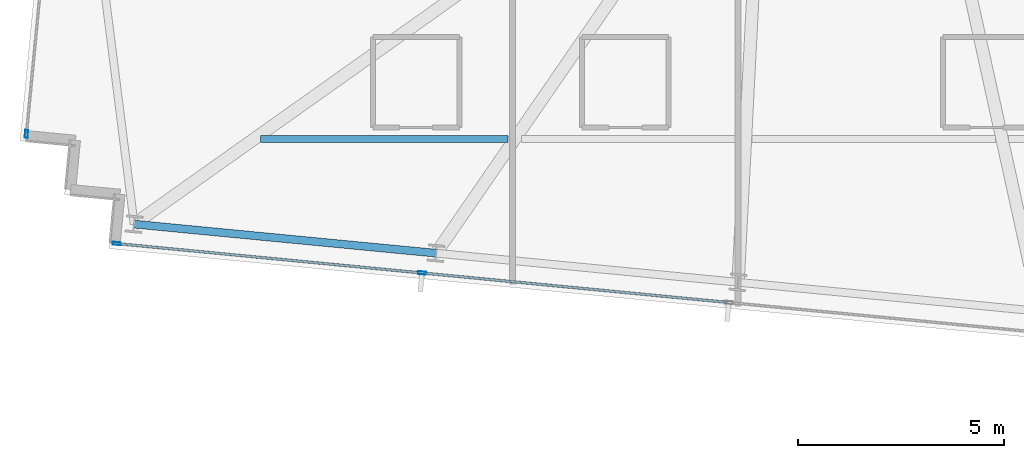
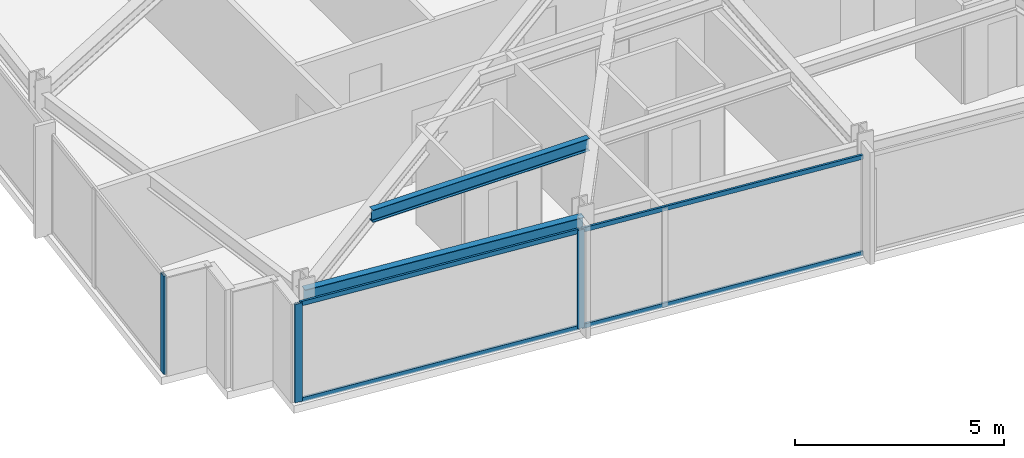
# One storey, part 2 of 37: 7 members, 2 beams, 2 elements without a shape of their own.
"""IFC4 building model written with IfcOpenShell, lengths in metres."""

from ifc_helpers import new_model, si_unit, direction, frame, origin, origin_2d, place, context, subcontext, project, spatial, hollow_rectangle, i_section, extrude, material, material_profile, profile_set, type_object, element, aggregate, save


model = new_model("IFC4")

# Units and contexts
model_context = context("Model", 3, precision=1e-05, world=origin(), true_north=direction((0.0, 1.0)))
body_context = subcontext(model_context, "Body", "Model", "MODEL_VIEW")
ifc_project = project(units=[si_unit("LENGTHUNIT", "METRE"), si_unit("AREAUNIT", "SQUARE_METRE"), si_unit("VOLUMEUNIT", "CUBIC_METRE"), si_unit("PLANEANGLEUNIT", "RADIAN"), si_unit("MASSUNIT", "GRAM", prefix="KILO")], contexts=[model_context])

# Site, building, storey
site_placement = place(None, origin())
site = spatial("IfcSite", under=ifc_project, at=site_placement, CompositionType="ELEMENT")
building_placement = place(site_placement, origin())
building = spatial("IfcBuilding", under=site, at=building_placement, Name="Yelkora Congress Tower", CompositionType="ELEMENT")
storey_placement = place(building_placement, frame((0.0, 0.0, 188.60009765625)))
storey = spatial("IfcBuildingStorey", under=building, at=storey_placement, Name="L52", CompositionType="ELEMENT", Elevation=188.60009765625)

# Beams
ifc_material_1 = material(Name="Steel S355J2", Category="steel")
ifc_material_profile_1 = material_profile(ifc_material_1, i_section(OverallWidth=0.169921875, OverallDepth=0.360107421875, WebThickness=0.008056640625, FlangeThickness=0.0126953125, FilletRadius=0.01806640625, at=origin_2d()), Name="IPE 360")
ifc_profile_set_1 = profile_set([ifc_material_profile_1], Name="Steel S355J2")
beam_type_1 = type_object("IfcBeamType", Name="BM-JOIST-IPE360", PredefinedType="JOIST", material=ifc_profile_set_1)
beam_1_placement = place(storey_placement, frame((6.98779296875, 16.421142578125, 2.699951171875), z_axis=(1.0, 0.0, 0.0), x_axis=(0.0, 1.0, 0.0)))
element("IfcBeam", 1, at=beam_1_placement, inside=storey, type_object=beam_type_1, Name="L52 Composite Floor Joist 5", PredefinedType="JOIST", context=body_context, shape_type="SweptSolid", body=[
    extrude(i_section(OverallWidth=0.169921875, OverallDepth=0.360107421875, WebThickness=0.008056640625, FlangeThickness=0.0126953125, FilletRadius=0.01806640625, at=origin_2d()), origin(), (0.0, 0.0, 1.0), 6.002685546875),
])
ifc_material_profile_2 = material_profile(ifc_material_1, i_section(OverallWidth=0.18994140625, OverallDepth=0.449951171875, WebThickness=0.009521484375, FlangeThickness=0.0146484375, FilletRadius=0.02099609375, at=origin_2d()), Name="IPE 450")
ifc_profile_set_2 = profile_set([ifc_material_profile_2], Name="Steel S355J2")
beam_type_2 = type_object("IfcBeamType", Name="BM-SPAN-IPE450", PredefinedType="SPANDREL", material=ifc_profile_set_2)
beam_2_placement = place(storey_placement, frame((3.919189453125, 14.357421875, 2.65478515625), z_axis=(0.995393938538, -0.095869218844, 0.0), x_axis=(0.095869218844, 0.995393938538, 0.0)))
element("IfcBeam", 2, at=beam_2_placement, inside=storey, type_object=beam_type_2, Name="L52 Perimeter Beam 2", PredefinedType="SPANDREL", context=body_context, shape_type="SweptSolid", body=[
    extrude(i_section(OverallWidth=0.18994140625, OverallDepth=0.449951171875, WebThickness=0.009521484375, FlangeThickness=0.0146484375, FilletRadius=0.02099609375, at=origin_2d()), origin(), (0.0, 0.0, 1.0), 7.357177734375),
])

# Curtain wall, member
ifc_material_2 = material(Name="Anodised aluminium and insulated glass", Category="aluminium")
curtain_wall_type = type_object("IfcCurtainWallType", Name="CW-SYS-B3", PredefinedType="NOTDEFINED", material=ifc_material_2)
curtain_wall_1_placement = place(storey_placement, origin())
curtain_wall_1 = element("IfcCurtainWall", 3, at=curtain_wall_1_placement, inside=storey, type_object=curtain_wall_type, Name="L52 Unitised Curtain Wall 5", PredefinedType="NOTDEFINED")
ifc_material_3 = material(Name="Anodised aluminium 6063-T6", Category="aluminium")
ifc_material_profile_3 = material_profile(ifc_material_3, hollow_rectangle(XDim=0.070068359375, YDim=0.18994140625, WallThickness=0.00390625, at=origin_2d()), Name="ALU 70x190x4")
ifc_profile_set_3 = profile_set([ifc_material_profile_3], Name="Anodised aluminium 6063-T6")
member_type_1 = type_object("IfcMemberType", Name="MEM-ML-B3", PredefinedType="MULLION", material=ifc_profile_set_3)
member_1_placement = place(storey_placement, frame((1.306640625, 16.542724609375, 0.0), z_axis=(0.0, 0.0, 1.0), x_axis=(-0.995396242473, 0.095845294465, 0.0)))
member_1 = element("IfcMember", 4, at=member_1_placement, type_object=member_type_1, Name="CW-B3 mullion 1", PredefinedType="MULLION", context=body_context, shape_type="SweptSolid", body=[
    extrude(hollow_rectangle(XDim=0.070068359375, YDim=0.18994140625, WallThickness=0.00390625, at=origin_2d()), origin(), (0.0, 0.0, 1.0), 2.8798828125),
])
aggregate(curtain_wall_1, [member_1])

# Curtain wall, members
curtain_wall_2_placement = place(storey_placement, origin())
curtain_wall_2 = element("IfcCurtainWall", 5, at=curtain_wall_2_placement, inside=storey, type_object=curtain_wall_type, Name="L52 Unitised Curtain Wall 20", PredefinedType="NOTDEFINED")
member_2_placement = place(storey_placement, frame((10.902099609375, 13.172607421875, 0.0), z_axis=(0.0, 0.0, 1.0), x_axis=(-0.095844680679, -0.995396301573, 0.0)))
member_2 = element("IfcMember", 6, at=member_2_placement, type_object=member_type_1, Name="CW-B3 mullion 7", PredefinedType="MULLION", context=body_context, shape_type="SweptSolid", body=[
    extrude(hollow_rectangle(XDim=0.070068359375, YDim=0.18994140625, WallThickness=0.00390625, at=origin_2d()), origin(), (0.0, 0.0, 1.0), 2.8798828125),
])
member_3_placement = place(storey_placement, frame((3.4970703125, 13.885498046875, 0.0), z_axis=(0.0, 0.0, 1.0), x_axis=(-0.095844680679, -0.995396301573, 0.0)))
member_3 = element("IfcMember", 7, at=member_3_placement, type_object=member_type_1, Name="CW-B3 mullion 8", PredefinedType="MULLION", context=body_context, shape_type="SweptSolid", body=[
    extrude(hollow_rectangle(XDim=0.070068359375, YDim=0.18994140625, WallThickness=0.00390625, at=origin_2d()), origin(), (0.0, 0.0, 1.0), 2.8798828125),
])
ifc_material_profile_4 = material_profile(ifc_material_3, hollow_rectangle(XDim=0.06005859375, YDim=0.1298828125, WallThickness=0.00390625, at=origin_2d()), Name="ALU 60x130x4")
ifc_profile_set_4 = profile_set([ifc_material_profile_4], Name="Anodised aluminium 6063-T6")
member_type_2 = type_object("IfcMemberType", Name="MEM-TR-B3", PredefinedType="USERDEFINED", material=ifc_profile_set_4)
member_4_placement = place(storey_placement, frame((18.30712890625, 12.45947265625, 0.02978515625), z_axis=(-0.99539548672, 0.095853142967, 0.0), x_axis=(-0.095853142967, -0.99539548672, 0.0)))
member_4 = element("IfcMember", 8, at=member_4_placement, type_object=member_type_2, Name="CW-B3 transom 6.1", ObjectType="TRANSOM", PredefinedType="USERDEFINED", context=body_context, shape_type="SweptSolid", body=[
    extrude(hollow_rectangle(XDim=0.06005859375, YDim=0.1298828125, WallThickness=0.00390625, at=origin_2d()), origin(), (0.0, 0.0, 1.0), 7.404296875),
])
member_5_placement = place(storey_placement, frame((18.30712890625, 12.45947265625, 2.849853515625), z_axis=(-0.99539548672, 0.095853142967, 0.0), x_axis=(-0.095853142967, -0.99539548672, 0.0)))
member_5 = element("IfcMember", 9, at=member_5_placement, type_object=member_type_2, Name="CW-B3 transom 6.2", ObjectType="TRANSOM", PredefinedType="USERDEFINED", context=body_context, shape_type="SweptSolid", body=[
    extrude(hollow_rectangle(XDim=0.06005859375, YDim=0.1298828125, WallThickness=0.00390625, at=origin_2d()), origin(), (0.0, 0.0, 1.0), 7.404296875),
])
member_6_placement = place(storey_placement, frame((10.8671875, 13.17578125, 0.02978515625), z_axis=(-0.995396212442, 0.095845606344, 0.0), x_axis=(-0.095845606344, -0.995396212442, 0.0)))
member_6 = element("IfcMember", 10, at=member_6_placement, type_object=member_type_2, Name="CW-B3 transom 7.1", ObjectType="TRANSOM", PredefinedType="USERDEFINED", context=body_context, shape_type="SweptSolid", body=[
    extrude(hollow_rectangle(XDim=0.06005859375, YDim=0.1298828125, WallThickness=0.00390625, at=origin_2d()), origin(), (0.0, 0.0, 1.0), 7.369140625),
])
member_7_placement = place(storey_placement, frame((10.8671875, 13.17578125, 2.849853515625), z_axis=(-0.995396212442, 0.095845606344, 0.0), x_axis=(-0.095845606344, -0.995396212442, 0.0)))
member_7 = element("IfcMember", 11, at=member_7_placement, type_object=member_type_2, Name="CW-B3 transom 7.2", ObjectType="TRANSOM", PredefinedType="USERDEFINED", context=body_context, shape_type="SweptSolid", body=[
    extrude(hollow_rectangle(XDim=0.06005859375, YDim=0.1298828125, WallThickness=0.00390625, at=origin_2d()), origin(), (0.0, 0.0, 1.0), 7.369140625),
])
aggregate(curtain_wall_2, [member_2, member_3, member_4, member_5, member_6, member_7])

save(model, "model.ifc")
